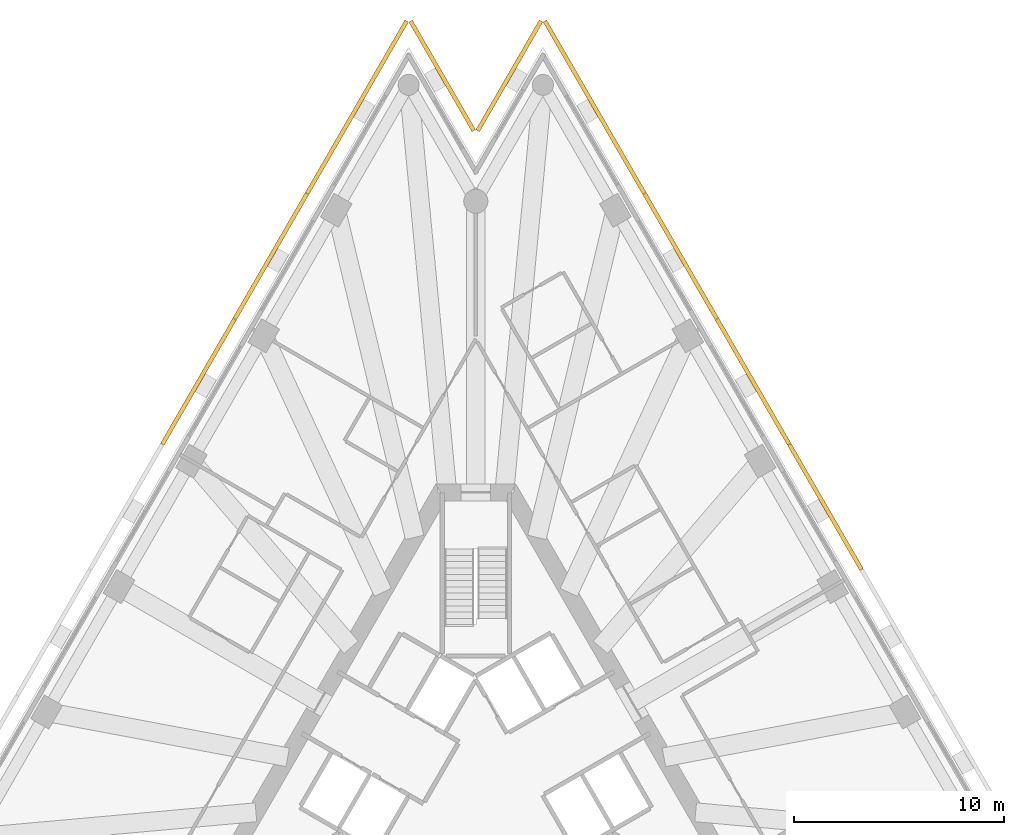
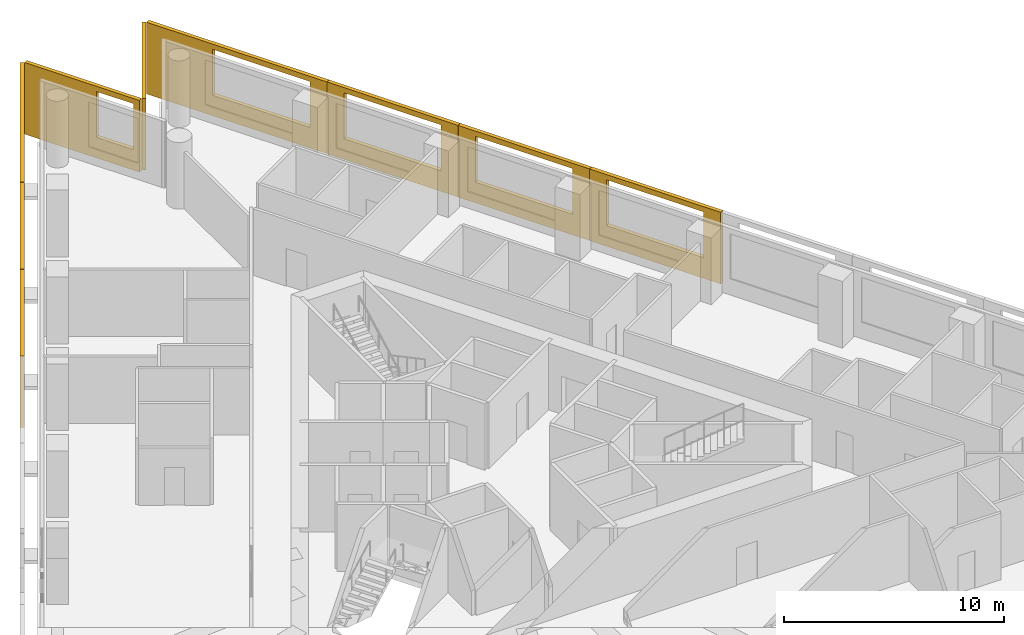
# One storey, part 10 of 10: 9 shading devices.
"""IFC4 building model written with IfcOpenShell, lengths in metres."""

from ifc_helpers import new_model, si_unit, direction, frame, origin, place, context, subcontext, project, spatial, polyline, outline, extrude, material, layer, layer_set, type_object, element, save


model = new_model("IFC4")

# Units and contexts
model_context = context("Model", 3, precision=1e-05, world=origin(), true_north=direction((0.0, 1.0)))
body_context = subcontext(model_context, "Body", "Model", "MODEL_VIEW")
ifc_project = project(units=[si_unit("LENGTHUNIT", "METRE"), si_unit("AREAUNIT", "SQUARE_METRE"), si_unit("VOLUMEUNIT", "CUBIC_METRE"), si_unit("PLANEANGLEUNIT", "RADIAN"), si_unit("MASSUNIT", "GRAM", prefix="KILO")], contexts=[model_context])

# Site, building, storey
site_placement = place(None, origin())
site = spatial("IfcSite", under=ifc_project, at=site_placement, CompositionType="ELEMENT")
building_placement = place(site_placement, origin())
building = spatial("IfcBuilding", under=site, at=building_placement, Name="Triada Interchange Tower", CompositionType="ELEMENT")
storey_placement = place(building_placement, frame((0.0, 0.0, 116.300048828125)))
storey = spatial("IfcBuildingStorey", under=building, at=storey_placement, Name="L26", CompositionType="ELEMENT", Elevation=116.300048828125)

# Shading devices
ifc_material = material(Name="Concrete C50/60 precast", Category="concrete")
ifc_layer_1 = layer(ifc_material, 0.02001953125, Name="Exposed aggregate face")
ifc_layer_2 = layer(ifc_material, 0.179931640625, Name="Precast concrete screen")
ifc_layer_set = layer_set([ifc_layer_1, ifc_layer_2], Name="Outer skin screen panel 3980")
shading_device_type = type_object("IfcShadingDeviceType", Name="Outer skin screen panel 3980", PredefinedType="SHUTTER", material=ifc_layer_set)
shading_device_1_placement = place(storey_placement, frame((-3.2041015625, 36.697998046875, -0.2900390625), z_axis=(0.0, 0.0, 1.0), x_axis=(-0.500001985578, -0.866024257407, 0.0)))
element("IfcShadingDevice", 1, at=shading_device_1_placement, inside=storey, type_object=shading_device_type, Name="Outer skin screen panel L26 01", PredefinedType="SHUTTER", context=body_context, shape_type="SweptSolid", body=[
    extrude(outline(polyline([(0.0, 0.0), (9.4755859375, 0.0), (9.4755859375, 3.97998046875), (0.0, 3.97998046875), (0.0, 0.0)]), holes=[polyline([(3.486572265625, 1.139892578125), (3.486572265625, 3.68994140625), (8.586669921875, 3.68994140625), (8.586669921875, 1.139892578125), (3.486572265625, 1.139892578125)])]), frame((0.0, 0.0, 0.0), z_axis=(0.0, -1.0, 0.0), x_axis=(1.0, 0.0, 0.0)), (0.0, 0.0, 1.0), 0.199951171875),
])
shading_device_2_placement = place(storey_placement, frame((-7.951904296875, 28.47509765625, -0.2900390625), z_axis=(0.0, 0.0, 1.0), x_axis=(-0.499990774396, -0.866030730124, 0.0)))
element("IfcShadingDevice", 2, at=shading_device_2_placement, inside=storey, type_object=shading_device_type, Name="Outer skin screen panel L26 02", PredefinedType="SHUTTER", context=body_context, shape_type="SweptSolid", body=[
    extrude(outline(polyline([(0.0, 0.0), (6.878662109375, 0.0), (6.878662109375, 3.97998046875), (0.0, 3.97998046875), (0.0, 0.0)]), holes=[polyline([(0.888671875, 1.139892578125), (0.888671875, 3.68994140625), (5.98876953125, 3.68994140625), (5.98876953125, 1.139892578125), (0.888671875, 1.139892578125)])]), frame((0.0, 0.0, 0.0), z_axis=(0.0, -1.0, 0.0), x_axis=(1.0, 0.0, 0.0)), (0.0, 0.0, 1.0), 0.199951171875),
])
shading_device_3_placement = place(storey_placement, frame((-11.40087890625, 22.5009765625, -0.2900390625), z_axis=(0.0, 0.0, 1.0), x_axis=(-0.499990774396, -0.866030730124, 0.0)))
element("IfcShadingDevice", 3, at=shading_device_3_placement, inside=storey, type_object=shading_device_type, Name="Outer skin screen panel L26 03", PredefinedType="SHUTTER", context=body_context, shape_type="SweptSolid", body=[
    extrude(outline(polyline([(0.0, 0.0), (6.878662109375, 0.0), (6.878662109375, 3.97998046875), (0.0, 3.97998046875), (0.0, 0.0)]), holes=[polyline([(0.888916015625, 1.139892578125), (0.888916015625, 3.68994140625), (5.98876953125, 3.68994140625), (5.98876953125, 1.139892578125), (0.888916015625, 1.139892578125)])]), frame((0.0, 0.0, 0.0), z_axis=(0.0, -1.0, 0.0), x_axis=(1.0, 0.0, 0.0)), (0.0, 0.0, 1.0), 0.199951171875),
])
shading_device_4_placement = place(storey_placement, frame((18.2890625, 10.571044921875, -0.2900390625), z_axis=(0.0, 0.0, 1.0), x_axis=(-0.500025633803, 0.866010603596, 0.0)))
element("IfcShadingDevice", 4, at=shading_device_4_placement, inside=storey, type_object=shading_device_type, Name="Outer skin screen panel L26 25", PredefinedType="SHUTTER", context=body_context, shape_type="SweptSolid", body=[
    extrude(outline(polyline([(0.0, 0.0), (6.877685546875, 0.0), (6.877685546875, 3.97998046875), (0.0, 3.97998046875), (0.0, 0.0)]), holes=[polyline([(0.888916015625, 1.139892578125), (0.888916015625, 3.68994140625), (5.98876953125, 3.68994140625), (5.98876953125, 1.139892578125), (0.888916015625, 1.139892578125)])]), frame((0.0, 0.0, 0.0), z_axis=(0.0, -1.0, 0.0), x_axis=(1.0, 0.0, 0.0)), (0.0, 0.0, 1.0), 0.199951171875),
])
shading_device_5_placement = place(storey_placement, frame((14.840087890625, 16.5439453125, -0.2900390625), z_axis=(0.0, 0.0, 1.0), x_axis=(-0.499990774396, 0.866030730124, 0.0)))
element("IfcShadingDevice", 5, at=shading_device_5_placement, inside=storey, type_object=shading_device_type, Name="Outer skin screen panel L26 26", PredefinedType="SHUTTER", context=body_context, shape_type="SweptSolid", body=[
    extrude(outline(polyline([(0.0, 0.0), (6.878662109375, 0.0), (6.878662109375, 3.97998046875), (0.0, 3.97998046875), (0.0, 0.0)]), holes=[polyline([(0.888916015625, 1.139892578125), (0.888916015625, 3.68994140625), (5.989013671875, 3.68994140625), (5.989013671875, 1.139892578125), (0.888916015625, 1.139892578125)])]), frame((0.0, 0.0, 0.0), z_axis=(0.0, -1.0, 0.0), x_axis=(1.0, 0.0, 0.0)), (0.0, 0.0, 1.0), 0.199951171875),
])
shading_device_6_placement = place(storey_placement, frame((11.39111328125, 22.51806640625, -0.2900390625), z_axis=(0.0, 0.0, 1.0), x_axis=(-0.499990774396, 0.866030730124, 0.0)))
element("IfcShadingDevice", 6, at=shading_device_6_placement, inside=storey, type_object=shading_device_type, Name="Outer skin screen panel L26 27", PredefinedType="SHUTTER", context=body_context, shape_type="SweptSolid", body=[
    extrude(outline(polyline([(0.0, 0.0), (6.878662109375, 0.0), (6.878662109375, 3.97998046875), (0.0, 3.97998046875), (0.0, 0.0)]), holes=[polyline([(0.88916015625, 1.139892578125), (0.88916015625, 3.68994140625), (5.989013671875, 3.68994140625), (5.989013671875, 1.139892578125), (0.88916015625, 1.139892578125)])]), frame((0.0, 0.0, 0.0), z_axis=(0.0, -1.0, 0.0), x_axis=(1.0, 0.0, 0.0)), (0.0, 0.0, 1.0), 0.199951171875),
])
shading_device_7_placement = place(storey_placement, frame((7.94189453125, 28.491943359375, -0.2900390625), z_axis=(0.0, 0.0, 1.0), x_axis=(-0.500001985578, 0.866024257407, 0.0)))
element("IfcShadingDevice", 7, at=shading_device_7_placement, inside=storey, type_object=shading_device_type, Name="Outer skin screen panel L26 28", PredefinedType="SHUTTER", context=body_context, shape_type="SweptSolid", body=[
    extrude(outline(polyline([(0.0, 0.0), (9.4755859375, 0.0), (9.4755859375, 3.97998046875), (0.0, 3.97998046875), (0.0, 0.0)]), holes=[polyline([(0.88916015625, 1.139892578125), (0.88916015625, 3.68994140625), (5.9892578125, 3.68994140625), (5.9892578125, 1.139892578125), (0.88916015625, 1.139892578125)])]), frame((0.0, 0.0, 0.0), z_axis=(0.0, -1.0, 0.0), x_axis=(1.0, 0.0, 0.0)), (0.0, 0.0, 1.0), 0.199951171875),
])
shading_device_8_placement = place(storey_placement, frame((3.194091796875, 36.697998046875, -0.2900390625), z_axis=(0.0, 0.0, 1.0), x_axis=(-0.50001324368, -0.866017757407, 0.0)))
element("IfcShadingDevice", 8, at=shading_device_8_placement, inside=storey, type_object=shading_device_type, Name="Outer skin screen panel L26 29", PredefinedType="SHUTTER", context=body_context, shape_type="SweptSolid", body=[
    extrude(outline(polyline([(0.0, 0.0), (6.031982421875, 0.0), (6.031982421875, 3.97998046875), (0.0, 3.97998046875), (0.0, 0.0)]), holes=[polyline([(3.17578125, 1.139892578125), (3.17578125, 3.68994140625), (5.732666015625, 3.68994140625), (5.732666015625, 1.139892578125), (3.17578125, 1.139892578125)])]), frame((0.0, 0.0, 0.0), z_axis=(0.0, -1.0, 0.0), x_axis=(1.0, 0.0, 0.0)), (0.0, 0.0, 1.0), 0.199951171875),
])
shading_device_9_placement = place(storey_placement, frame((-0.177978515625, 31.47412109375, -0.2900390625), z_axis=(0.0, 0.0, 1.0), x_axis=(-0.50001324368, 0.866017757407, 0.0)))
element("IfcShadingDevice", 9, at=shading_device_9_placement, inside=storey, type_object=shading_device_type, Name="Outer skin screen panel L26 30", PredefinedType="SHUTTER", context=body_context, shape_type="SweptSolid", body=[
    extrude(outline(polyline([(0.0, 0.0), (6.031982421875, 0.0), (6.031982421875, 3.97998046875), (0.0, 3.97998046875), (0.0, 0.0)]), holes=[polyline([(0.300048828125, 1.139892578125), (0.300048828125, 3.68994140625), (2.2578125, 3.68994140625), (2.2578125, 1.139892578125), (0.300048828125, 1.139892578125)])]), frame((0.0, 0.0, 0.0), z_axis=(0.0, -1.0, 0.0), x_axis=(1.0, 0.0, 0.0)), (0.0, 0.0, 1.0), 0.199951171875),
])

save(model, "model.ifc")
